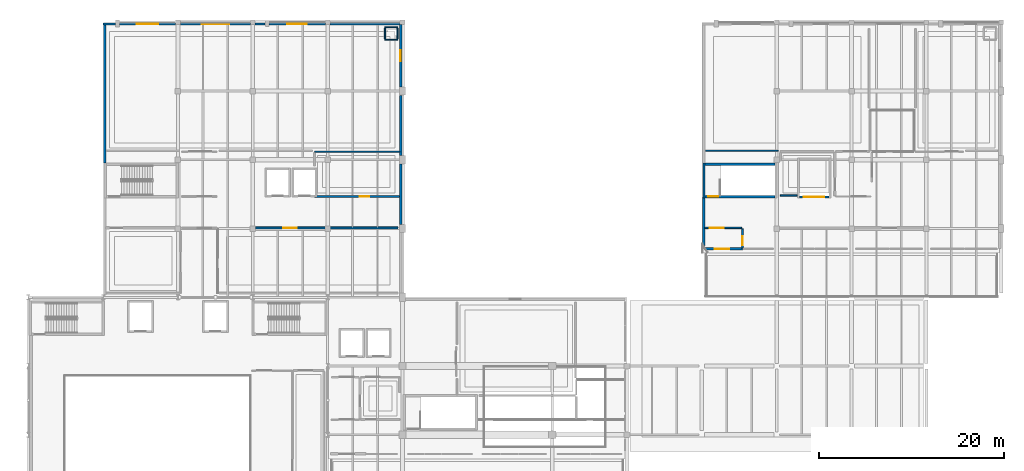
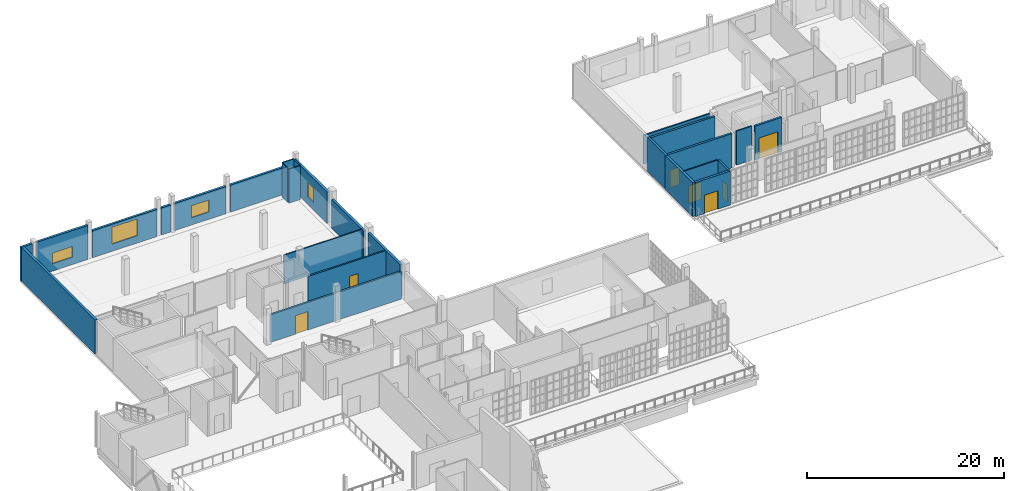
# One storey, part 48 of 56: 27 walls, 7 doors, 4 windows, 11 openings.
"""IFC4 building model written with IfcOpenShell, lengths in metres."""

from ifc_helpers import new_model, si_unit, direction, frame, frame_2d, origin, place, context, subcontext, project, spatial, rectangle, extrude, material, layer, layer_set, type_object, element, fill, save


model = new_model("IFC4")

# Units and contexts
model_context = context("Model", 3, precision=1e-05, world=origin(), true_north=direction((0.0, 1.0)))
body_context = subcontext(model_context, "Body", "Model", "MODEL_VIEW")
ifc_project = project(units=[si_unit("LENGTHUNIT", "METRE"), si_unit("AREAUNIT", "SQUARE_METRE"), si_unit("VOLUMEUNIT", "CUBIC_METRE"), si_unit("PLANEANGLEUNIT", "RADIAN"), si_unit("MASSUNIT", "GRAM", prefix="KILO")], contexts=[model_context])

# Site, building, storey
site_placement = place(None, origin())
site = spatial("IfcSite", under=ifc_project, at=site_placement, CompositionType="ELEMENT")
building_placement = place(site_placement, origin())
building = spatial("IfcBuilding", under=site, at=building_placement, Name="Kaelora Sail Theatre", CompositionType="ELEMENT")
storey_placement = place(building_placement, frame((0.0, 0.0, 14.699951171875)))
storey = spatial("IfcBuildingStorey", under=building, at=storey_placement, Name="L03", CompositionType="ELEMENT", Elevation=14.699951171875)

# Wall, opening, door
ifc_material_1 = material(Name="Concrete C40/50", Category="concrete")
ifc_layer_1 = layer(ifc_material_1, 0.25)
ifc_layer_set_1 = layer_set([ifc_layer_1], Name="Concrete C40/50")
wall_type_1 = type_object("IfcWallType", Name="ARC-WL-CW-250", PredefinedType="SHEAR", material=ifc_layer_set_1)
wall_1_placement = place(storey_placement, frame((99.054931640625, 94.22509765625, 0.0), z_axis=(0.0, 0.0, 1.0), x_axis=(1.0, 0.0, 0.0)))
wall_1 = element("IfcWall", 1, at=wall_1_placement, inside=storey, type_object=wall_type_1, Name="Stair shaft ST-K4 wall L03-S", PredefinedType="SHEAR", context=body_context, shape_type="SweptSolid", body=[
    extrude(rectangle(XDim=7.5400390625, YDim=0.25, at=frame_2d((3.77001953125, 0.0))), origin(), (0.0, 0.0, 1.0), 4.2451171875),
])
opening_1_placement = place(wall_1_placement, frame((0.320068359375, 0.0, 0.0)))
opening_1 = element("IfcOpeningElement", 2, at=opening_1_placement, cuts=wall_1, Name="Opening FD-02", PredefinedType="OPENING", context=body_context, shape_type="SweptSolid", body=[
    extrude(rectangle(XDim=1.10009765625, YDim=2.199951171875, at=frame_2d((0.550048828125, 1.10009765625))), frame((0.0, 0.135, 0.0), z_axis=(0.0, -1.0, 0.0), x_axis=(1.0, 0.0, 0.0)), (0.0, 0.0, 1.0), 0.27),
])
ifc_material_2 = material(Name="Acoustic steel single stair/lobby fire door EI 90-C", Category="steel")
door_type_1 = type_object("IfcDoorType", Name="ARC-DR-FD-02", OperationType="NOTDEFINED", PredefinedType="DOOR", material=ifc_material_2)
door_1_placement = place(opening_1_placement, origin())
door_1 = element("IfcDoor", 3, at=door_1_placement, inside=storey, type_object=door_type_1, Name="Stair ST-K4 door (L03)", OperationType="SINGLE_SWING_RIGHT", OverallHeight=2.199951171875, OverallWidth=1.10009765625, PredefinedType="DOOR", context=body_context, shape_type="SweptSolid", body=[
    extrude(rectangle(XDim=1.10009765625, YDim=2.199951171875, at=frame_2d((0.550048828125, 1.10009765625))), frame((0.0, 0.02490234375, 0.0), z_axis=(0.0, -1.0, 0.0), x_axis=(1.0, 0.0, 0.0)), (0.0, 0.0, 1.0), 0.050048828125),
])
fill(opening_1, door_1)

# Walls
wall_2_placement = place(storey_placement, frame((99.054931640625, 97.72509765625, 0.0), z_axis=(0.0, 0.0, 1.0), x_axis=(1.0, 0.0, 0.0)))
element("IfcWall", 4, at=wall_2_placement, inside=storey, type_object=wall_type_1, Name="Stair shaft ST-K4 wall L03-N", PredefinedType="SHEAR", context=body_context, shape_type="SweptSolid", body=[
    extrude(rectangle(XDim=7.5400390625, YDim=0.25, at=frame_2d((3.77001953125, 0.0))), origin(), (0.0, 0.0, 1.0), 4.2451171875),
])
wall_3_placement = place(storey_placement, frame((98.925048828125, 94.10009765625, 0.0), z_axis=(0.0, 0.0, 1.0), x_axis=(0.0, 1.0, 0.0)))
element("IfcWall", 5, at=wall_3_placement, inside=storey, type_object=wall_type_1, Name="Stair shaft ST-K4 wall L03-W", PredefinedType="SHEAR", context=body_context, shape_type="SweptSolid", body=[
    extrude(rectangle(XDim=3.75, YDim=0.25, at=frame_2d((1.875, 0.0))), origin(), (0.0, 0.0, 1.0), 4.2451171875),
])

# Wall, opening, window
ifc_material_3 = material(Name="Precast concrete C45/55", Category="concrete")
ifc_layer_2 = layer(ifc_material_3, 0.260009765625)
ifc_layer_set_2 = layer_set([ifc_layer_2], Name="Precast concrete C45/55")
wall_type_2 = type_object("IfcWallType", Name="ARC-WL-EW-260", PredefinedType="SOLIDWALL", material=ifc_layer_set_2)
wall_4_placement = place(storey_placement, frame((35.679931640625, 112.919921875, 0.0), z_axis=(0.0, 0.0, 1.0), x_axis=(1.0, 0.0, 0.0)))
wall_4 = element("IfcWall", 6, at=wall_4_placement, inside=storey, type_object=wall_type_2, Name="North Conservatory/Production Facade Wall L03 B05", PredefinedType="SOLIDWALL", context=body_context, shape_type="SweptSolid", body=[
    extrude(rectangle(XDim=6.065185546875, YDim=0.260009765625, at=frame_2d((3.03271484375, 0.0))), origin(), (0.0, 0.0, 1.0), 4.22509765625),
])
opening_2_placement = place(wall_4_placement, frame((1.85693359375, 0.0, 0.89990234375)))
opening_2 = element("IfcOpeningElement", 7, at=opening_2_placement, cuts=wall_4, Name="Opening W-30", PredefinedType="OPENING", context=body_context, shape_type="SweptSolid", body=[
    extrude(rectangle(XDim=2.35009765625, YDim=1.35009765625, at=frame_2d((1.175048828125, 0.675048828125))), frame((0.0, 0.139883, 0.0), z_axis=(0.0, -1.0, 0.0), x_axis=(1.0, 0.0, 0.0)), (0.0, 0.0, 1.0), 0.28001),
])
ifc_material_4 = material(Name="Thermally broken aluminium and low-E double glazing", Category="aluminium")
window_type_1 = type_object("IfcWindowType", Name="ARC-WIN-W-30", PartitioningType="SINGLE_PANEL", PredefinedType="WINDOW", material=ifc_material_4)
window_1_placement = place(opening_2_placement, origin())
window_1 = element("IfcWindow", 8, at=window_1_placement, inside=storey, type_object=window_type_1, Name="North facade window L03 B05", OverallHeight=1.35009765625, OverallWidth=2.35009765625, PartitioningType="SINGLE_PANEL", PredefinedType="WINDOW", context=body_context, shape_type="SweptSolid", body=[
    extrude(rectangle(XDim=2.35009765625, YDim=1.35009765625, at=frame_2d((1.175048828125, 0.675048828125))), frame((0.0, 0.030029296875, 0.0), z_axis=(0.0, -1.0, 0.0), x_axis=(1.0, 0.0, 0.0)), (0.0, 0.0, 1.0), 0.06005859375),
])
fill(opening_2, window_1)

# Wall
wall_5_placement = place(storey_placement, frame((33.89990234375, 112.919921875, 0.0), z_axis=(0.0, 0.0, 1.0), x_axis=(1.0, 0.0, 0.0)))
element("IfcWall", 9, at=wall_5_placement, inside=storey, type_object=wall_type_2, Name="North Facade Pilaster Spandrel Pier L03 B05", PredefinedType="SOLIDWALL", context=body_context, shape_type="SweptSolid", body=[
    extrude(rectangle(XDim=1.320068359375, YDim=0.260009765625, at=frame_2d((0.66015625, 0.0))), origin(), (0.0, 0.0, 1.0), 4.22509765625),
])

# Wall, opening, window
wall_6_placement = place(storey_placement, frame((42.2548828125, 112.919921875, 0.0), z_axis=(0.0, 0.0, 1.0), x_axis=(1.0, 0.0, 0.0)))
wall_6 = element("IfcWall", 10, at=wall_6_placement, inside=storey, type_object=wall_type_2, Name="North Conservatory/Production Facade Wall L03 B06", PredefinedType="SOLIDWALL", context=body_context, shape_type="SweptSolid", body=[
    extrude(rectangle(XDim=7.590087890625, YDim=0.260009765625, at=frame_2d((3.794921875, 0.0))), origin(), (0.0, 0.0, 1.0), 3.376953125),
])
opening_3_placement = place(wall_6_placement, frame((2.294921875, 0.0, 0.89990234375)))
opening_3 = element("IfcOpeningElement", 11, at=opening_3_placement, cuts=wall_6, Name="Opening W-03", PredefinedType="OPENING", context=body_context, shape_type="SweptSolid", body=[
    extrude(rectangle(XDim=3.0, YDim=2.10009765625, at=frame_2d((1.5, 1.050048828125))), frame((0.0, 0.139883, 0.0), z_axis=(0.0, -1.0, 0.0), x_axis=(1.0, 0.0, 0.0)), (0.0, 0.0, 1.0), 0.28001),
])
ifc_material_5 = material(Name="Thermally broken aluminium and low-E double glazing", Category="aluminium")
window_type_2 = type_object("IfcWindowType", Name="ARC-WIN-W-03", PartitioningType="SINGLE_PANEL", PredefinedType="WINDOW", material=ifc_material_5)
window_2_placement = place(opening_3_placement, origin())
window_2 = element("IfcWindow", 12, at=window_2_placement, inside=storey, type_object=window_type_2, Name="North facade window L03 B06", OverallHeight=2.10009765625, OverallWidth=3.0, PartitioningType="SINGLE_PANEL", PredefinedType="WINDOW", context=body_context, shape_type="SweptSolid", body=[
    extrude(rectangle(XDim=3.0, YDim=2.10009765625, at=frame_2d((1.5, 1.050048828125))), frame((0.0, 0.030029296875, 0.0), z_axis=(0.0, -1.0, 0.0), x_axis=(1.0, 0.0, 0.0)), (0.0, 0.0, 1.0), 0.06005859375),
])
fill(opening_3, window_2)

wall_7_placement = place(storey_placement, frame((51.85498046875, 112.919921875, 0.0), z_axis=(0.0, 0.0, 1.0), x_axis=(1.0, 0.0, 0.0)))
wall_7 = element("IfcWall", 13, at=wall_7_placement, inside=storey, type_object=wall_type_2, Name="North Conservatory/Production Facade Wall L03 B07", PredefinedType="SOLIDWALL", context=body_context, shape_type="SweptSolid", body=[
    extrude(rectangle(XDim=6.090087890625, YDim=0.260009765625, at=frame_2d((3.044921875, 0.0))), origin(), (0.0, 0.0, 1.0), 3.376953125),
])
opening_4_placement = place(wall_7_placement, frame((1.9951171875, 0.0, 0.89990234375)))
opening_4 = element("IfcOpeningElement", 14, at=opening_4_placement, cuts=wall_7, Name="Opening W-06", PredefinedType="OPENING", context=body_context, shape_type="SweptSolid", body=[
    extrude(rectangle(XDim=2.10009765625, YDim=1.5, at=frame_2d((1.050048828125, 0.75))), frame((0.0, 0.139883, 0.0), z_axis=(0.0, -1.0, 0.0), x_axis=(1.0, 0.0, 0.0)), (0.0, 0.0, 1.0), 0.28001),
])
ifc_material_6 = material(Name="Thermally broken aluminium and low-E double glazing", Category="aluminium")
window_type_3 = type_object("IfcWindowType", Name="ARC-WIN-W-06", PartitioningType="SINGLE_PANEL", PredefinedType="WINDOW", material=ifc_material_6)
window_3_placement = place(opening_4_placement, origin())
window_3 = element("IfcWindow", 15, at=window_3_placement, inside=storey, type_object=window_type_3, Name="North facade window L03 B07", OverallHeight=1.5, OverallWidth=2.10009765625, PartitioningType="SINGLE_PANEL", PredefinedType="WINDOW", context=body_context, shape_type="SweptSolid", body=[
    extrude(rectangle(XDim=2.10009765625, YDim=1.5, at=frame_2d((1.050048828125, 0.75))), frame((0.0, 0.030029296875, 0.0), z_axis=(0.0, -1.0, 0.0), x_axis=(1.0, 0.0, 0.0)), (0.0, 0.0, 1.0), 0.06005859375),
])
fill(opening_4, window_3)

# Walls
wall_8_placement = place(storey_placement, frame((50.35498046875, 112.919921875, 0.0), z_axis=(0.0, 0.0, 1.0), x_axis=(1.0, 0.0, 0.0)))
element("IfcWall", 16, at=wall_8_placement, inside=storey, type_object=wall_type_2, Name="North Facade Pilaster Spandrel Pier L03 B07", PredefinedType="SOLIDWALL", context=body_context, shape_type="SweptSolid", body=[
    extrude(rectangle(XDim=1.090087890625, YDim=0.260009765625, at=frame_2d((0.544921875, 0.0))), origin(), (0.0, 0.0, 1.0), 3.376953125),
])
wall_9_placement = place(storey_placement, frame((58.455078125, 112.919921875, 0.0), z_axis=(0.0, 0.0, 1.0), x_axis=(1.0, 0.0, 0.0)))
element("IfcWall", 17, at=wall_9_placement, inside=storey, type_object=wall_type_2, Name="North Conservatory/Production Facade Wall L03 B08", PredefinedType="SOLIDWALL", context=body_context, shape_type="SweptSolid", body=[
    extrude(rectangle(XDim=7.58984375, YDim=0.260009765625, at=frame_2d((3.794921875, 0.0))), origin(), (0.0, 0.0, 1.0), 3.376953125),
])

# Wall, opening, door
ifc_material_7 = material(Name="Precast concrete C45/55", Category="concrete")
ifc_layer_3 = layer(ifc_material_7, 0.280029296875)
ifc_layer_set_3 = layer_set([ifc_layer_3], Name="Precast concrete C45/55")
wall_type_3 = type_object("IfcWallType", Name="ARC-WL-EW-280", PredefinedType="SOLIDWALL", material=ifc_layer_set_3)
wall_10_placement = place(storey_placement, frame((99.030029296875, 88.590087890625, 0.0), z_axis=(0.0, 0.0, 1.0), x_axis=(1.0, 0.0, 0.0)))
wall_10 = element("IfcWall", 18, at=wall_10_placement, inside=storey, type_object=wall_type_3, Name="East Conservatory Terrace TR-S4E Access Wall", PredefinedType="SOLIDWALL", context=body_context, shape_type="SweptSolid", body=[
    extrude(rectangle(XDim=4.1298828125, YDim=0.280029296875, at=frame_2d((2.06494140625, 0.0))), origin(), (0.0, 0.0, 1.0), 4.22509765625),
])
opening_5_placement = place(wall_10_placement, frame((1.050048828125, 0.0, 0.0)))
opening_5 = element("IfcOpeningElement", 19, at=opening_5_placement, cuts=wall_10, Name="Opening ED-05", PredefinedType="OPENING", context=body_context, shape_type="SweptSolid", body=[
    extrude(rectangle(XDim=1.60009765625, YDim=2.300048828125, at=frame_2d((0.800048828125, 1.14990234375))), frame((0.0, 0.150137, 0.0), z_axis=(0.0, -1.0, 0.0), x_axis=(1.0, 0.0, 0.0)), (0.0, 0.0, 1.0), 0.300029),
])
ifc_material_8 = material(Name="Terrace glazed double swing door", Category="aluminium")
door_type_2 = type_object("IfcDoorType", Name="ARC-DR-ED-05", OperationType="NOTDEFINED", PredefinedType="DOOR", material=ifc_material_8)
door_2_placement = place(opening_5_placement, origin())
door_2 = element("IfcDoor", 20, at=door_2_placement, inside=storey, type_object=door_type_2, Name="East Conservatory Terrace TR-S4E Access Wall Door", OperationType="DOUBLE_DOOR_SINGLE_SWING", OverallHeight=2.300048828125, OverallWidth=1.60009765625, PredefinedType="DOOR", context=body_context, shape_type="SweptSolid", body=[
    extrude(rectangle(XDim=1.60009765625, YDim=2.300048828125, at=frame_2d((0.800048828125, 1.14990234375))), frame((0.0, 0.02490234375, 0.0), z_axis=(0.0, -1.0, 0.0), x_axis=(1.0, 0.0, 0.0)), (0.0, 0.0, 1.0), 0.050048828125),
])
fill(opening_5, door_2)

# Walls
wall_11_placement = place(storey_placement, frame((34.080078125, 97.89990234375, 0.0), z_axis=(0.0, 0.0, 1.0), x_axis=(0.0, 1.0, 0.0)))
element("IfcWall", 21, at=wall_11_placement, inside=storey, type_object=wall_type_3, Name="Stepped Wing Facade Wall STEP-NW2-WN-L03", PredefinedType="SOLIDWALL", context=body_context, shape_type="SweptSolid", body=[
    extrude(rectangle(XDim=15.050048828125, YDim=0.280029296875, at=frame_2d((7.52490234375, 0.0))), origin(), (0.0, 0.0, 1.0), 4.22509765625),
])
wall_12_placement = place(storey_placement, frame((66.090087890625, 91.235107421875, 0.0), z_axis=(0.0, 0.0, 1.0), x_axis=(0.0, 1.0, 0.0)))
element("IfcWall", 22, at=wall_12_placement, inside=storey, type_object=wall_type_3, Name="Stepped Wing Facade Wall STEP-NW2-E-L03-S2", PredefinedType="SOLIDWALL", context=body_context, shape_type="SweptSolid", body=[
    extrude(rectangle(XDim=6.52978515625, YDim=0.280029296875, at=frame_2d((3.264892578125, 0.0))), origin(), (0.0, 0.0, 1.0), 3.9169921875),
])
wall_13_placement = place(storey_placement, frame((66.090087890625, 98.675048828125, 0.0), z_axis=(0.0, 0.0, 1.0), x_axis=(0.0, 1.0, 0.0)))
element("IfcWall", 23, at=wall_13_placement, inside=storey, type_object=wall_type_3, Name="Stepped Wing Facade Wall STEP-NW2-E-L03-S3", PredefinedType="SOLIDWALL", context=body_context, shape_type="SweptSolid", body=[
    extrude(rectangle(XDim=6.530029296875, YDim=0.280029296875, at=frame_2d((3.26513671875, 0.0))), origin(), (0.0, 0.0, 1.0), 3.5771484375),
])

# Wall, opening, window
wall_14_placement = place(storey_placement, frame((66.090087890625, 106.114990234375, 0.0), z_axis=(0.0, 0.0, 1.0), x_axis=(0.0, 1.0, 0.0)))
wall_14 = element("IfcWall", 24, at=wall_14_placement, inside=storey, type_object=wall_type_3, Name="Stepped Wing Facade Wall STEP-NW2-E-L03-S4", PredefinedType="SOLIDWALL", context=body_context, shape_type="SweptSolid", body=[
    extrude(rectangle(XDim=6.72998046875, YDim=0.280029296875, at=frame_2d((3.364990234375, 0.0))), origin(), (0.0, 0.0, 1.0), 3.9169921875),
])
opening_6_placement = place(wall_14_placement, frame((2.764892578125, 0.0, 0.949951171875)))
opening_6 = element("IfcOpeningElement", 25, at=opening_6_placement, cuts=wall_14, Name="Opening W-05", PredefinedType="OPENING", context=body_context, shape_type="SweptSolid", body=[
    extrude(rectangle(XDim=1.199951171875, YDim=1.800048828125, at=frame_2d((0.60009765625, 0.89990234375))), frame((0.0, 0.150137, 0.0), z_axis=(0.0, -1.0, 0.0), x_axis=(1.0, 0.0, 0.0)), (0.0, 0.0, 1.0), 0.300029),
])
ifc_material_9 = material(Name="Thermally broken aluminium and low-E double glazing", Category="aluminium")
window_type_4 = type_object("IfcWindowType", Name="ARC-WIN-W-05", PartitioningType="SINGLE_PANEL", PredefinedType="WINDOW", material=ifc_material_9)
window_4_placement = place(opening_6_placement, origin())
window_4 = element("IfcWindow", 26, at=window_4_placement, inside=storey, type_object=window_type_4, Name="Stepped Wing Window STEP-NW2-E-L03-S4", OverallHeight=1.800048828125, OverallWidth=1.199951171875, PartitioningType="SINGLE_PANEL", PredefinedType="WINDOW", context=body_context, shape_type="SweptSolid", body=[
    extrude(rectangle(XDim=1.199951171875, YDim=1.800048828125, at=frame_2d((0.60009765625, 0.89990234375))), frame((0.0, 0.030029296875, 0.0), z_axis=(0.0, -1.0, 0.0), x_axis=(1.0, 0.0, 0.0)), (0.0, 0.0, 1.0), 0.06005859375),
])
fill(opening_6, window_4)

# Walls
wall_15_placement = place(storey_placement, frame((98.909912109375, 88.60009765625, 0.0), z_axis=(0.0, 0.0, 1.0), x_axis=(0.0, 1.0, 0.0)))
element("IfcWall", 27, at=wall_15_placement, inside=storey, type_object=wall_type_3, Name="Stepped Wing Facade Wall STEP-NW4-WS-L03", PredefinedType="SOLIDWALL", context=body_context, shape_type="SweptSolid", body=[
    extrude(rectangle(XDim=5.599853515625, YDim=0.280029296875, at=frame_2d((2.7998046875, 0.0))), origin(), (0.0, 0.0, 1.0), 4.22509765625),
])
ifc_material_10 = material(Name="Standard metal-stud partition 120 mm", Category="gypsum")
ifc_layer_4 = layer(ifc_material_10, 0.1201171875)
ifc_layer_set_4 = layer_set([ifc_layer_4], Name="Standard metal-stud partition 120 mm")
wall_type_4 = type_object("IfcWallType", Name="ARC-WL-PT-120", PredefinedType="PARTITIONING", material=ifc_layer_set_4)
for number, where, z_axis, x_axis, name in (
    (28, (64.405029296875, 111.219970703125, 0.0), (0.0, 0.0, 1.0), (1.0, 0.0, 0.0), "MEP riser shaft wall NW2-L03-S"),
    (29, (64.405029296875, 112.580078125, 0.0), (0.0, 0.0, 1.0), (1.0, 0.0, 0.0), "MEP riser shaft wall NW2-L03-N"),
):
    element("IfcWall", number, at=place(storey_placement, frame(where, z_axis=z_axis, x_axis=x_axis)), inside=storey, type_object=wall_type_4, Name=name, PredefinedType="PARTITIONING", context=body_context, shape_type="SweptSolid", body=[
        extrude(rectangle(XDim=1.35986328125, YDim=0.1201171875, at=frame_2d((0.679931640625, 0.0))), origin(), (0.0, 0.0, 1.0), 4.22509765625),
    ])
for number, where, z_axis, x_axis, name in (
    (30, (64.405029296875, 111.340087890625, 0.0), (0.0, 0.0, 1.0), (0.0, 1.0, 0.0), "MEP riser shaft wall NW2-L03-W"),
    (31, (65.764892578125, 111.340087890625, 0.0), (0.0, 0.0, 1.0), (0.0, 1.0, 0.0), "MEP riser shaft wall NW2-L03-E"),
):
    element("IfcWall", number, at=place(storey_placement, frame(where, z_axis=z_axis, x_axis=x_axis)), inside=storey, type_object=wall_type_4, Name=name, PredefinedType="PARTITIONING", context=body_context, shape_type="SweptSolid", body=[
        extrude(rectangle(XDim=1.119873046875, YDim=0.1201171875, at=frame_2d((0.56005859375, 0.0))), origin(), (0.0, 0.0, 1.0), 4.22509765625),
    ])
ifc_material_11 = material(Name="Dressing room acoustic partition 130 mm", Category="gypsum")
ifc_layer_5 = layer(ifc_material_11, 0.1298828125)
ifc_layer_set_5 = layer_set([ifc_layer_5], Name="Dressing room acoustic partition 130 mm")
wall_type_5 = type_object("IfcWallType", Name="ARC-WL-PT-130", PredefinedType="PARTITIONING", material=ifc_layer_set_5)
wall_16_placement = place(storey_placement, frame((56.800048828125, 99.10009765625, 0.0), z_axis=(0.0, 0.0, 1.0), x_axis=(1.0, 0.0, 0.0)))
element("IfcWall", 32, at=wall_16_placement, inside=storey, type_object=wall_type_5, Name="Interior acoustic partition L03-CHOREO-2/L03-BALLET-1", PredefinedType="PARTITIONING", context=body_context, shape_type="SweptSolid", body=[
    extrude(rectangle(XDim=9.2099609375, YDim=0.1298828125, at=frame_2d((4.60498046875, 0.0))), origin(), (0.0, 0.0, 1.0), 3.5771484375),
])

# Wall, opening, door
ifc_material_12 = material(Name="Fire-rated stud partition 140 mm", Category="gypsum")
ifc_layer_6 = layer(ifc_material_12, 0.139892578125)
ifc_layer_set_6 = layer_set([ifc_layer_6], Name="Fire-rated stud partition 140 mm")
wall_type_6 = type_object("IfcWallType", Name="ARC-WL-PT-140", PredefinedType="PARTITIONING", material=ifc_layer_set_6)
wall_17_placement = place(storey_placement, frame((98.989990234375, 90.85009765625, 0.0), z_axis=(0.0, 0.0, 1.0), x_axis=(1.0, 0.0, 0.0)))
wall_17 = element("IfcWall", 33, at=wall_17_placement, inside=storey, type_object=wall_type_6, Name="Interior acoustic partition L03-COR-TER4/L03-COR-NW4", PredefinedType="PARTITIONING", context=body_context, shape_type="SweptSolid", body=[
    extrude(rectangle(XDim=4.010009765625, YDim=0.139892578125, at=frame_2d((2.0048828125, 0.0))), origin(), (0.0, 0.0, 1.0), 4.22509765625),
])
opening_7_placement = place(wall_17_placement, frame((0.580078125, 0.0, 0.0)))
opening_7 = element("IfcOpeningElement", 34, at=opening_7_placement, cuts=wall_17, Name="Opening FD-01", PredefinedType="OPENING", context=body_context, shape_type="SweptSolid", body=[
    extrude(rectangle(XDim=1.5, YDim=2.199951171875, at=frame_2d((0.75, 1.10009765625))), frame((0.0, 0.079824, 0.0), z_axis=(0.0, -1.0, 0.0), x_axis=(1.0, 0.0, 0.0)), (0.0, 0.0, 1.0), 0.159893),
])
ifc_material_13 = material(Name="Acoustic steel double fire door EI 90-C", Category="steel")
door_type_3 = type_object("IfcDoorType", Name="ARC-DR-FD-01", OperationType="NOTDEFINED", PredefinedType="DOOR", material=ifc_material_13)
door_3_placement = place(opening_7_placement, origin())
door_3 = element("IfcDoor", 35, at=door_3_placement, inside=storey, type_object=door_type_3, Name="Interior door L03-COR-TER4 to L03-COR-NW4", OperationType="DOUBLE_DOOR_SINGLE_SWING", OverallHeight=2.199951171875, OverallWidth=1.5, PredefinedType="DOOR", context=body_context, shape_type="SweptSolid", body=[
    extrude(rectangle(XDim=1.5, YDim=2.199951171875, at=frame_2d((0.75, 1.10009765625))), frame((0.0, 0.02490234375, 0.0), z_axis=(0.0, -1.0, 0.0), x_axis=(1.0, 0.0, 0.0)), (0.0, 0.0, 1.0), 0.050048828125),
])
fill(opening_7, door_3)

# Walls
ifc_material_14 = material(Name="Acoustic metal-stud plasterboard 160 mm", Category="gypsum")
ifc_layer_7 = layer(ifc_material_14, 0.159912109375)
ifc_layer_set_7 = layer_set([ifc_layer_7], Name="Acoustic metal-stud plasterboard 160 mm")
wall_type_7 = type_object("IfcWallType", Name="ARC-WL-PT-160", PredefinedType="PARTITIONING", material=ifc_layer_set_7)
wall_18_placement = place(storey_placement, frame((107.199951171875, 94.35009765625, 0.0), z_axis=(0.0, 0.0, 1.0), x_axis=(1.0, 0.0, 0.0)))
element("IfcWall", 36, at=wall_18_placement, inside=storey, type_object=wall_type_7, Name="Room enclosure wall L03-ARCHIVE-RD-S1", PredefinedType="PARTITIONING", context=body_context, shape_type="SweptSolid", body=[
    extrude(rectangle(XDim=1.800048828125, YDim=0.159912109375, at=frame_2d((0.89990234375, 0.0))), origin(), (0.0, 0.0, 1.0), 4.22509765625),
])
wall_19_placement = place(storey_placement, frame((99.10009765625, 99.199951171875, 0.0), z_axis=(0.0, 0.0, 1.0), x_axis=(1.0, 0.0, 0.0)))
element("IfcWall", 37, at=wall_19_placement, inside=storey, type_object=wall_type_7, Name="Room enclosure wall L03-LIBRARY-S1", PredefinedType="PARTITIONING", context=body_context, shape_type="SweptSolid", body=[
    extrude(rectangle(XDim=7.849853515625, YDim=0.159912109375, at=frame_2d((3.9248046875, 0.0))), origin(), (0.0, 0.0, 1.0), 3.5771484375),
])

# Wall, opening, door
ifc_material_15 = material(Name="Rehearsal double-stud partition 185 mm", Category="gypsum")
ifc_layer_8 = layer(ifc_material_15, 0.18505859375)
ifc_layer_set_8 = layer_set([ifc_layer_8], Name="Rehearsal double-stud partition 185 mm")
wall_type_8 = type_object("IfcWallType", Name="ARC-WL-PT-185", PredefinedType="PARTITIONING", material=ifc_layer_set_8)
wall_20_placement = place(storey_placement, frame((56.800048828125, 94.25, 0.0), z_axis=(0.0, 0.0, 1.0), x_axis=(1.0, 0.0, 0.0)))
wall_20 = element("IfcWall", 38, at=wall_20_placement, inside=storey, type_object=wall_type_8, Name="Interior acoustic partition L03-COR-NW2/L03-CHOREO-2", PredefinedType="PARTITIONING", context=body_context, shape_type="SweptSolid", body=[
    extrude(rectangle(XDim=9.2099609375, YDim=0.18505859375, at=frame_2d((4.60498046875, 0.0))), origin(), (0.0, 0.0, 1.0), 3.89697265625),
])
opening_8_placement = place(wall_20_placement, frame((4.887939453125, 0.0, 0.0)))
opening_8 = element("IfcOpeningElement", 39, at=opening_8_placement, cuts=wall_20, Name="Opening ID-01", PredefinedType="OPENING", context=body_context, shape_type="SweptSolid", body=[
    extrude(rectangle(XDim=1.0, YDim=2.199951171875, at=frame_2d((0.5, 1.10009765625))), frame((0.0, 0.102529, 0.0), z_axis=(0.0, -1.0, 0.0), x_axis=(1.0, 0.0, 0.0)), (0.0, 0.0, 1.0), 0.205059),
])
ifc_material_16 = material(Name="Solid timber acoustic studio single door", Category="wood")
door_type_4 = type_object("IfcDoorType", Name="ARC-DR-ID-01", OperationType="NOTDEFINED", PredefinedType="DOOR", material=ifc_material_16)
door_4_placement = place(opening_8_placement, origin())
door_4 = element("IfcDoor", 40, at=door_4_placement, inside=storey, type_object=door_type_4, Name="Interior door L03-COR-NW2 to L03-CHOREO-2", OperationType="SINGLE_SWING_RIGHT", OverallHeight=2.199951171875, OverallWidth=1.0, PredefinedType="DOOR", context=body_context, shape_type="SweptSolid", body=[
    extrude(rectangle(XDim=1.0, YDim=2.199951171875, at=frame_2d((0.5, 1.10009765625))), frame((0.0, 0.02490234375, 0.0), z_axis=(0.0, -1.0, 0.0), x_axis=(1.0, 0.0, 0.0)), (0.0, 0.0, 1.0), 0.050048828125),
])
fill(opening_8, door_4)

ifc_material_17 = material(Name="Acoustic double-stud plasterboard 200 mm", Category="gypsum")
ifc_layer_9 = layer(ifc_material_17, 0.199951171875)
ifc_layer_set_9 = layer_set([ifc_layer_9], Name="Acoustic double-stud plasterboard 200 mm")
wall_type_9 = type_object("IfcWallType", Name="ARC-WL-PT-200", PredefinedType="PARTITIONING", material=ifc_layer_set_9)
wall_21_placement = place(storey_placement, frame((103.10009765625, 88.669921875, 0.0), z_axis=(0.0, 0.0, 1.0), x_axis=(0.0, 1.0, 0.0)))
wall_21 = element("IfcWall", 41, at=wall_21_placement, inside=storey, type_object=wall_type_9, Name="Interior acoustic partition L03-DRAMA-TER/L03-COR-TER4", PredefinedType="PARTITIONING", context=body_context, shape_type="SweptSolid", body=[
    extrude(rectangle(XDim=2.080078125, YDim=0.199951171875, at=frame_2d((1.0400390625, 0.0))), origin(), (0.0, 0.0, 1.0), 4.22509765625),
])
opening_9_placement = place(wall_21_placement, frame((0.320068359375, 0.0, 0.0)))
opening_9 = element("IfcOpeningElement", 42, at=opening_9_placement, cuts=wall_21, Name="Opening ID-02", PredefinedType="OPENING", context=body_context, shape_type="SweptSolid", body=[
    extrude(rectangle(XDim=0.949951171875, YDim=2.14990234375, at=frame_2d((0.47509765625, 1.074951171875))), frame((0.0, 0.110098, 0.0), z_axis=(0.0, -1.0, 0.0), x_axis=(1.0, 0.0, 0.0)), (0.0, 0.0, 1.0), 0.219951),
])
ifc_material_18 = material(Name="Timber dressing and office single door", Category="wood")
door_type_5 = type_object("IfcDoorType", Name="ARC-DR-ID-02", OperationType="NOTDEFINED", PredefinedType="DOOR", material=ifc_material_18)
door_5_placement = place(opening_9_placement, origin())
door_5 = element("IfcDoor", 43, at=door_5_placement, inside=storey, type_object=door_type_5, Name="Interior door L03-DRAMA-TER to L03-COR-TER4", OperationType="SINGLE_SWING_RIGHT", OverallHeight=2.14990234375, OverallWidth=0.949951171875, PredefinedType="DOOR", context=body_context, shape_type="SweptSolid", body=[
    extrude(rectangle(XDim=0.949951171875, YDim=2.14990234375, at=frame_2d((0.47509765625, 1.074951171875))), frame((0.0, 0.02490234375, 0.0), z_axis=(0.0, -1.0, 0.0), x_axis=(1.0, 0.0, 0.0)), (0.0, 0.0, 1.0), 0.050048828125),
])
fill(opening_9, door_5)

wall_22_placement = place(storey_placement, frame((50.405029296875, 90.85009765625, 0.0), z_axis=(0.0, 0.0, 1.0), x_axis=(1.0, 0.0, 0.0)))
wall_22 = element("IfcWall", 44, at=wall_22_placement, inside=storey, type_object=wall_type_9, Name="Interior acoustic partition L03-COR-NW2/L03-SCORE-W", PredefinedType="PARTITIONING", context=body_context, shape_type="SweptSolid", body=[
    extrude(rectangle(XDim=15.39501953125, YDim=0.199951171875, at=frame_2d((7.697509765625, 0.0))), origin(), (0.0, 0.0, 1.0), 3.427001953125),
])
opening_10_placement = place(wall_22_placement, frame((2.97705078125, 0.0, 0.0)))
opening_10 = element("IfcOpeningElement", 45, at=opening_10_placement, cuts=wall_22, Name="Opening ID-12", PredefinedType="OPENING", context=body_context, shape_type="SweptSolid", body=[
    extrude(rectangle(XDim=1.449951171875, YDim=2.300048828125, at=frame_2d((0.72509765625, 1.14990234375))), frame((0.0, 0.110098, 0.0), z_axis=(0.0, -1.0, 0.0), x_axis=(1.0, 0.0, 0.0)), (0.0, 0.0, 1.0), 0.219951),
])
ifc_material_19 = material(Name="Orchestra warm-up acoustic double door", Category="steel")
door_type_6 = type_object("IfcDoorType", Name="ARC-DR-ID-12", OperationType="NOTDEFINED", PredefinedType="DOOR", material=ifc_material_19)
door_6_placement = place(opening_10_placement, origin())
door_6 = element("IfcDoor", 46, at=door_6_placement, inside=storey, type_object=door_type_6, Name="Interior door L03-COR-NW2 to L03-SCORE-W", OperationType="DOUBLE_DOOR_SINGLE_SWING", OverallHeight=2.300048828125, OverallWidth=1.449951171875, PredefinedType="DOOR", context=body_context, shape_type="SweptSolid", body=[
    extrude(rectangle(XDim=1.449951171875, YDim=2.300048828125, at=frame_2d((0.72509765625, 1.14990234375))), frame((0.0, 0.02490234375, 0.0), z_axis=(0.0, -1.0, 0.0), x_axis=(1.0, 0.0, 0.0)), (0.0, 0.0, 1.0), 0.050048828125),
])
fill(opening_10, door_6)

ifc_material_20 = material(Name="Concrete C40/50", Category="concrete")
ifc_layer_10 = layer(ifc_material_20, 0.219970703125)
ifc_layer_set_10 = layer_set([ifc_layer_10], Name="Concrete C40/50")
wall_type_10 = type_object("IfcWallType", Name="ARC-WL-SW-220", PredefinedType="SOLIDWALL", material=ifc_layer_set_10)
wall_23_placement = place(storey_placement, frame((109.25, 94.18994140625, 0.0), z_axis=(0.0, 0.0, 1.0), x_axis=(1.0, 0.0, 0.0)))
wall_23 = element("IfcWall", 47, at=wall_23_placement, inside=storey, type_object=wall_type_10, Name="Lift GL-01 shaft wall L03-S", PredefinedType="SOLIDWALL", context=body_context, shape_type="SweptSolid", body=[
    extrude(rectangle(XDim=3.199951171875, YDim=0.219970703125, at=frame_2d((1.60009765625, 0.0))), origin(), (0.0, 0.0, 1.0), 4.2451171875),
])
opening_11_placement = place(wall_23_placement, frame((0.5, 0.0, 0.0)))
opening_11 = element("IfcOpeningElement", 48, at=opening_11_placement, cuts=wall_23, Name="Opening LD-GDS", PredefinedType="OPENING", context=body_context, shape_type="SweptSolid", body=[
    extrude(rectangle(XDim=2.199951171875, YDim=2.60009765625, at=frame_2d((1.10009765625, 1.300048828125))), frame((0.0, 0.119863, 0.0), z_axis=(0.0, -1.0, 0.0), x_axis=(1.0, 0.0, 0.0)), (0.0, 0.0, 1.0), 0.239971),
])
ifc_material_21 = material(Name="Heavy-duty scenery goods lift bi-parting landing door EI 120", Category="steel")
door_type_7 = type_object("IfcDoorType", Name="ARC-DR-LD-GDS", OperationType="NOTDEFINED", PredefinedType="DOOR", material=ifc_material_21)
door_7_placement = place(opening_11_placement, origin())
door_7 = element("IfcDoor", 49, at=door_7_placement, inside=storey, type_object=door_type_7, Name="Lift GL-01 sliding landing door (L03)", OperationType="SLIDING_TO_LEFT", OverallHeight=2.60009765625, OverallWidth=2.199951171875, PredefinedType="DOOR", context=body_context, shape_type="SweptSolid", body=[
    extrude(rectangle(XDim=2.199951171875, YDim=2.60009765625, at=frame_2d((1.10009765625, 1.300048828125))), frame((0.0, 0.02490234375, 0.0), z_axis=(0.0, -1.0, 0.0), x_axis=(1.0, 0.0, 0.0)), (0.0, 0.0, 1.0), 0.050048828125),
])
fill(opening_11, door_7)

save(model, "model.ifc")
